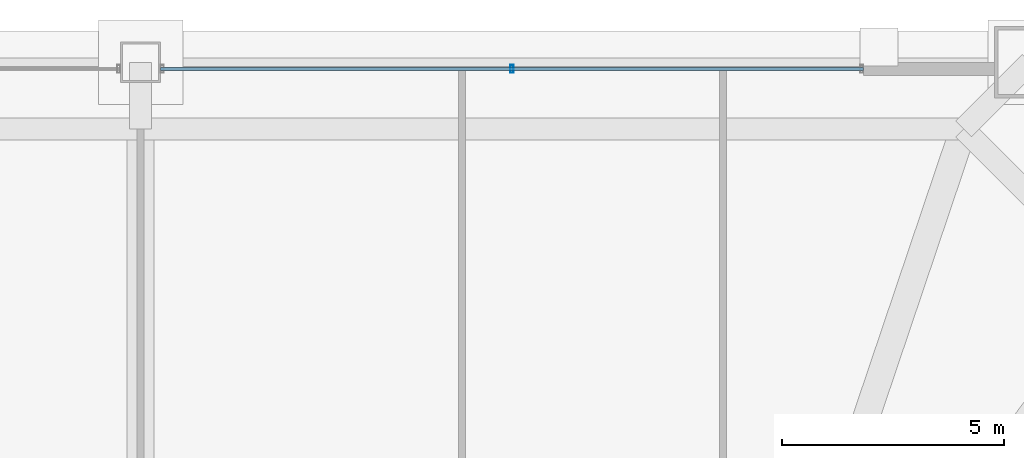
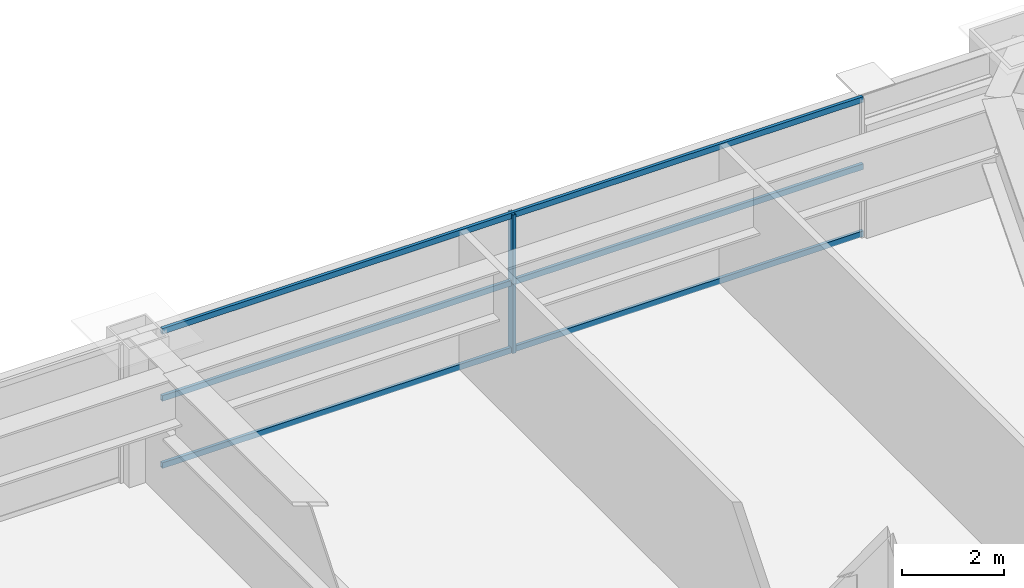
# One storey, part 37 of 45: 5 members, 1 element without a shape of its own.
"""IFC4 building model written with IfcOpenShell, lengths in metres."""

from ifc_helpers import new_model, si_unit, direction, frame, origin, origin_2d, place, context, subcontext, project, spatial, hollow_rectangle, extrude, source, transform, mapped, material, layer, layer_set, material_profile, profile_set, type_object, element, aggregate, save


model = new_model("IFC4")

# Units and contexts
model_context = context("Model", 3, precision=1e-05, world=origin(), true_north=direction((0.0, 1.0)))
body_context = subcontext(model_context, "Body", "Model", "MODEL_VIEW")
ifc_project = project(units=[si_unit("LENGTHUNIT", "METRE"), si_unit("AREAUNIT", "SQUARE_METRE"), si_unit("VOLUMEUNIT", "CUBIC_METRE"), si_unit("PLANEANGLEUNIT", "RADIAN"), si_unit("MASSUNIT", "GRAM", prefix="KILO"), si_unit("THERMODYNAMICTEMPERATUREUNIT", "KELVIN"), si_unit("POWERUNIT", "WATT")], contexts=[model_context])

# Site, building, storey
site_placement = place(None, origin())
site = spatial("IfcSite", under=ifc_project, at=site_placement, CompositionType="ELEMENT")
building_placement = place(site_placement, origin())
building = spatial("IfcBuilding", under=site, at=building_placement, Name="Yuzanri Waterfront Tower", CompositionType="ELEMENT")
storey_placement = place(building_placement, frame((0.0, 0.0, 163.199951171875)))
storey = spatial("IfcBuildingStorey", under=building, at=storey_placement, Name="L43", CompositionType="ELEMENT", Elevation=163.199951171875)

# Curtain wall, members
ifc_material_1 = material(Name="Anodized Architectural Bronze", Category="metal")
ifc_layer = layer(ifc_material_1, 0.159912109375)
ifc_layer_set = layer_set([ifc_layer], Name="Anodized Architectural Bronze")
curtain_wall_type = type_object("IfcCurtainWallType", Name="Anodized Bronze Hotel Upper-Tier Solar-Control Unitized Curtain Wall 7800", PredefinedType="NOTDEFINED", material=ifc_layer_set)
curtain_wall_placement = place(storey_placement, origin())
curtain_wall = element("IfcCurtainWall", 1, at=curtain_wall_placement, inside=storey, type_object=curtain_wall_type, Name="L43 Curtain Wall CW-L43-NR", PredefinedType="NOTDEFINED")
ifc_material_2 = material(Name="Anodized Architectural Bronze", Category="metal")
ifc_material_profile_1 = material_profile(ifc_material_2, hollow_rectangle(XDim=0.070068359375, YDim=0.135009765625, WallThickness=0.00341796875, at=origin_2d()), Name="CWT 70x135")
ifc_profile_set_1 = profile_set([ifc_material_profile_1], Name="Anodized Architectural Bronze")
member_type_1 = type_object("IfcMemberType", Name="Anodized Bronze Standard Curtain-Wall Transom 70x135", PredefinedType="USERDEFINED", material=ifc_profile_set_1)
shared_shape_1 = source(origin(), body_context, "Body", "SweptSolid", [
    extrude(hollow_rectangle(XDim=0.070068359375, YDim=0.135009765625, WallThickness=0.00341796875, at=origin_2d()), origin(), (0.0, 0.0, 1.0), 15.800048828125),
])
member_1_placement = place(storey_placement, frame((37.449951171875, 49.25, 0.050048828125), z_axis=(1.0, 0.0, 0.0), x_axis=(0.0, 1.0, 0.0)))
member_1 = element("IfcMember", 2, at=member_1_placement, type_object=member_type_1, Name="CW-L43-NR Transom 1", ObjectType="TRANSOM", PredefinedType="USERDEFINED", context=body_context, shape_type="MappedRepresentation", body=[
    mapped(shared_shape_1, transform((0.0, 0.0, 0.0), scale=1.0)),
])
member_2_placement = place(storey_placement, frame((37.449951171875, 49.25, 1.650146484375), z_axis=(1.0, 0.0, 0.0), x_axis=(0.0, 1.0, 0.0)))
member_2 = element("IfcMember", 3, at=member_2_placement, type_object=member_type_1, Name="CW-L43-NR Transom 2", ObjectType="TRANSOM", PredefinedType="USERDEFINED", context=body_context, shape_type="MappedRepresentation", body=[
    mapped(shared_shape_1, transform((0.0, 0.0, 0.0), scale=1.0)),
])
member_3_placement = place(storey_placement, frame((37.449951171875, 49.25, 3.25), z_axis=(1.0, 0.0, 0.0), x_axis=(0.0, 1.0, 0.0)))
member_3 = element("IfcMember", 4, at=member_3_placement, type_object=member_type_1, Name="CW-L43-NR Transom 3", ObjectType="TRANSOM", PredefinedType="USERDEFINED", context=body_context, shape_type="MappedRepresentation", body=[
    mapped(shared_shape_1, transform((0.0, 0.0, 0.0), scale=1.0)),
])
ifc_material_3 = material(Name="Anodized Architectural Bronze", Category="metal")
ifc_material_profile_2 = material_profile(ifc_material_3, hollow_rectangle(XDim=0.070068359375, YDim=0.179931640625, WallThickness=0.00390625, at=origin_2d()), Name="CWM 70x180")
ifc_profile_set_2 = profile_set([ifc_material_profile_2], Name="Anodized Architectural Bronze")
member_type_2 = type_object("IfcMemberType", Name="Anodized Bronze Standard Curtain-Wall Mullion 70x180", PredefinedType="MULLION", material=ifc_profile_set_2)
shared_shape_2 = source(origin(), body_context, "Body", "SweptSolid", [
    extrude(hollow_rectangle(XDim=0.070068359375, YDim=0.179931640625, WallThickness=0.00390625, at=origin_2d()), origin(), (0.0, 0.0, 1.0), 1.64794921875),
])
member_4_placement = place(storey_placement, frame((45.35009765625, 49.25, 0.0), z_axis=(0.0, 0.0, 1.0), x_axis=(1.0, 0.0, 0.0)))
member_4 = element("IfcMember", 5, at=member_4_placement, type_object=member_type_2, Name="CW-L43-NR Lower Mullion 01", PredefinedType="MULLION", context=body_context, shape_type="MappedRepresentation", body=[
    mapped(shared_shape_2, transform((0.0, 0.0, 0.0), scale=1.0)),
])
member_5_placement = place(storey_placement, frame((45.35009765625, 49.25, 1.652099609375), z_axis=(0.0, 0.0, 1.0), x_axis=(1.0, 0.0, 0.0)))
member_5 = element("IfcMember", 6, at=member_5_placement, type_object=member_type_2, Name="CW-L43-NR Upper Mullion 01", PredefinedType="MULLION", context=body_context, shape_type="MappedRepresentation", body=[
    mapped(shared_shape_2, transform((0.0, 0.0, 0.0), scale=1.0)),
])
aggregate(curtain_wall, [member_4, member_5, member_1, member_2, member_3])

save(model, "model.ifc")
